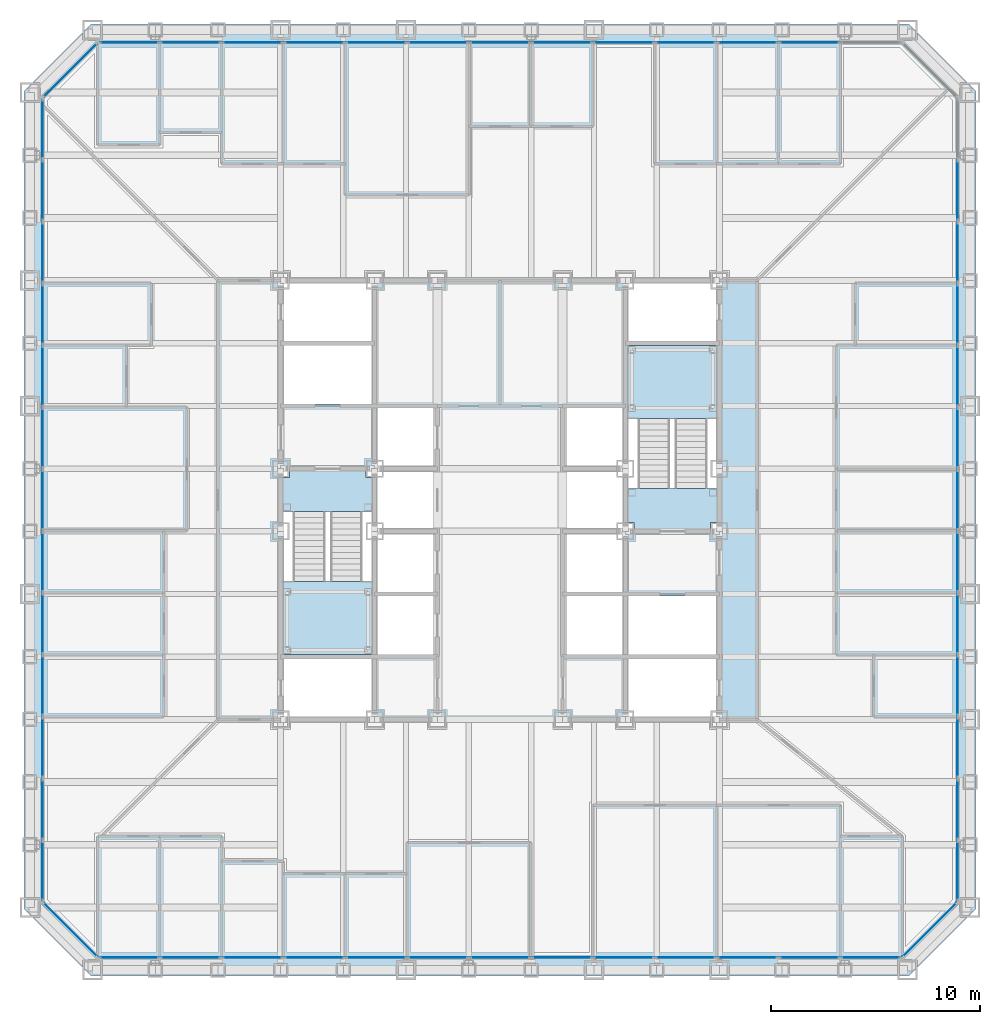
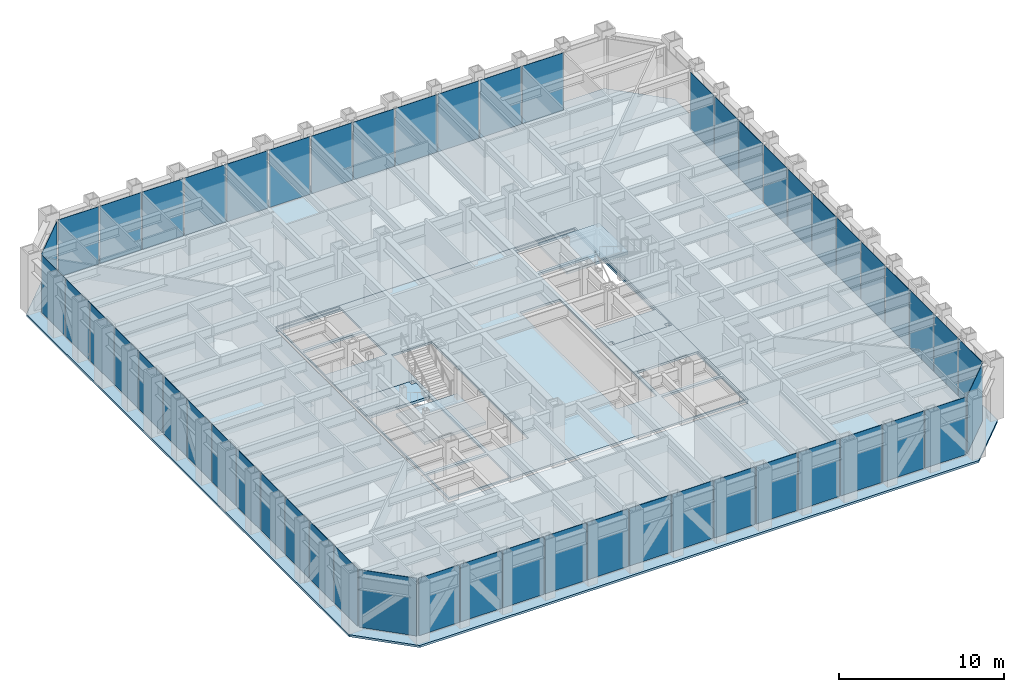
# One storey, part 7 of 17: 53 plates, 6 slabs, 9 elements without a shape of their own.
"""IFC4 building model written with IfcOpenShell, lengths in metres."""

from ifc_helpers import new_model, si_unit, direction, frame, origin, origin_2d, place, context, subcontext, project, spatial, polyline, rectangle, outline, extrude, material, layer, layer_set, type_object, element, aggregate, save


model = new_model("IFC4")

# Units and contexts
model_context = context("Model", 3, precision=1e-05, world=origin(), true_north=direction((0.0, 1.0)))
body_context = subcontext(model_context, "Body", "Model", "MODEL_VIEW")
ifc_project = project(units=[si_unit("LENGTHUNIT", "METRE"), si_unit("AREAUNIT", "SQUARE_METRE"), si_unit("VOLUMEUNIT", "CUBIC_METRE"), si_unit("PLANEANGLEUNIT", "RADIAN"), si_unit("MASSUNIT", "GRAM", prefix="KILO")], contexts=[model_context])

# Site, building, storey
site_placement = place(None, origin())
site = spatial("IfcSite", under=ifc_project, at=site_placement, CompositionType="ELEMENT")
building_placement = place(site_placement, origin())
building = spatial("IfcBuilding", under=site, at=building_placement, Name="Chuquiago Exchange Tower", CompositionType="ELEMENT")
storey_placement = place(building_placement, frame((0.0, 0.0, 37.800048828125)))
storey = spatial("IfcBuildingStorey", under=building, at=storey_placement, Name="L07", CompositionType="ELEMENT", Elevation=37.800048828125)

# Curtain wall, plates
ifc_material_1 = material(Name="Aluminium curtain wall system", Category="aluminium")
ifc_layer_1 = layer(ifc_material_1, 0.25)
ifc_layer_set_1 = layer_set([ifc_layer_1], Name="CW1 trading floor curtain wall")
curtain_wall_type_1 = type_object("IfcCurtainWallType", Name="CW1 trading floor curtain wall", PredefinedType="NOTDEFINED", material=ifc_layer_set_1)
curtain_wall_1_placement = place(storey_placement, origin())
curtain_wall_1 = element("IfcCurtainWall", 1, at=curtain_wall_1_placement, inside=storey, type_object=curtain_wall_type_1, Name="CW1 curtain wall L07", PredefinedType="NOTDEFINED")
ifc_material_2 = material(Name="Glass, insulating unit", Category="glass")
ifc_layer_2 = layer(ifc_material_2, 0.031982421875)
ifc_layer_set_2 = layer_set([ifc_layer_2], Name="CW1-P panel 32")
plate_type_1 = type_object("IfcPlateType", Name="CW1-P panel 32", PredefinedType="CURTAIN_PANEL", material=ifc_layer_set_2)
plate_1_placement = place(storey_placement, frame((10.65283203125, 0.60009765625, -0.22509765625), z_axis=(0.0, 0.0, 1.0), x_axis=(1.0, 0.0, 0.0)))
plate_1 = element("IfcPlate", 2, at=plate_1_placement, type_object=plate_type_1, Name="CW1 panel 3.1", PredefinedType="CURTAIN_PANEL", context=body_context, shape_type="SweptSolid", body=[
    extrude(rectangle(XDim=2.88671875, YDim=0.031982421875, at=origin_2d()), origin(), (0.0, 0.0, 1.0), 4.264892578125),
])
plate_2_placement = place(storey_placement, frame((13.61474609375, 0.60009765625, -0.22509765625), z_axis=(0.0, 0.0, 1.0), x_axis=(1.0, 0.0, 0.0)))
plate_2 = element("IfcPlate", 3, at=plate_2_placement, type_object=plate_type_1, Name="CW1 panel 4.1", PredefinedType="CURTAIN_PANEL", context=body_context, shape_type="SweptSolid", body=[
    extrude(rectangle(XDim=2.88671875, YDim=0.031982421875, at=origin_2d()), origin(), (0.0, 0.0, 1.0), 4.264892578125),
])
plate_3_placement = place(storey_placement, frame((16.576416015625, 0.60009765625, -0.22509765625), z_axis=(0.0, 0.0, 1.0), x_axis=(1.0, 0.0, 0.0)))
plate_3 = element("IfcPlate", 4, at=plate_3_placement, type_object=plate_type_1, Name="CW1 panel 5.1", PredefinedType="CURTAIN_PANEL", context=body_context, shape_type="SweptSolid", body=[
    extrude(rectangle(XDim=2.88671875, YDim=0.031982421875, at=origin_2d()), origin(), (0.0, 0.0, 1.0), 4.264892578125),
])
plate_4_placement = place(storey_placement, frame((25.461669921875, 0.60009765625, -0.22509765625), z_axis=(0.0, 0.0, 1.0), x_axis=(1.0, 0.0, 0.0)))
plate_4 = element("IfcPlate", 5, at=plate_4_placement, type_object=plate_type_1, Name="CW1 panel 8.1", PredefinedType="CURTAIN_PANEL", context=body_context, shape_type="SweptSolid", body=[
    extrude(rectangle(XDim=2.88671875, YDim=0.031982421875, at=origin_2d()), origin(), (0.0, 0.0, 1.0), 4.264892578125),
])
plate_5_placement = place(storey_placement, frame((28.423583984375, 0.60009765625, -0.22509765625), z_axis=(0.0, 0.0, 1.0), x_axis=(1.0, 0.0, 0.0)))
plate_5 = element("IfcPlate", 6, at=plate_5_placement, type_object=plate_type_1, Name="CW1 panel 9.1", PredefinedType="CURTAIN_PANEL", context=body_context, shape_type="SweptSolid", body=[
    extrude(rectangle(XDim=2.88671875, YDim=0.031982421875, at=origin_2d()), origin(), (0.0, 0.0, 1.0), 4.264892578125),
])
plate_6_placement = place(storey_placement, frame((31.38525390625, 0.60009765625, -0.22509765625), z_axis=(0.0, 0.0, 1.0), x_axis=(1.0, 0.0, 0.0)))
plate_6 = element("IfcPlate", 7, at=plate_6_placement, type_object=plate_type_1, Name="CW1 panel 10.1", PredefinedType="CURTAIN_PANEL", context=body_context, shape_type="SweptSolid", body=[
    extrude(rectangle(XDim=2.88671875, YDim=0.031982421875, at=origin_2d()), origin(), (0.0, 0.0, 1.0), 4.264892578125),
])
plate_7_placement = place(storey_placement, frame((34.34716796875, 0.60009765625, -0.22509765625), z_axis=(0.0, 0.0, 1.0), x_axis=(1.0, 0.0, 0.0)))
plate_7 = element("IfcPlate", 8, at=plate_7_placement, type_object=plate_type_1, Name="CW1 panel 11.1", PredefinedType="CURTAIN_PANEL", context=body_context, shape_type="SweptSolid", body=[
    extrude(rectangle(XDim=2.88671875, YDim=0.031982421875, at=origin_2d()), origin(), (0.0, 0.0, 1.0), 4.264892578125),
])

curtain_wall_2_placement = place(storey_placement, origin())
curtain_wall_2 = element("IfcCurtainWall", 9, at=curtain_wall_2_placement, inside=storey, type_object=curtain_wall_type_1, Name="CW1 curtain wall L07", PredefinedType="NOTDEFINED")
plate_8_placement = place(storey_placement, frame((44.39990234375, 10.65283203125, -0.22509765625), z_axis=(0.0, 0.0, 1.0), x_axis=(0.0, 1.0, 0.0)))
plate_8 = element("IfcPlate", 10, at=plate_8_placement, type_object=plate_type_1, Name="CW1 panel 3.1", PredefinedType="CURTAIN_PANEL", context=body_context, shape_type="SweptSolid", body=[
    extrude(rectangle(XDim=2.88671875, YDim=0.031982421875, at=origin_2d()), origin(), (0.0, 0.0, 1.0), 4.264892578125),
])
plate_9_placement = place(storey_placement, frame((44.39990234375, 13.61474609375, -0.22509765625), z_axis=(0.0, 0.0, 1.0), x_axis=(0.0, 1.0, 0.0)))
plate_9 = element("IfcPlate", 11, at=plate_9_placement, type_object=plate_type_1, Name="CW1 panel 4.1", PredefinedType="CURTAIN_PANEL", context=body_context, shape_type="SweptSolid", body=[
    extrude(rectangle(XDim=2.88671875, YDim=0.031982421875, at=origin_2d()), origin(), (0.0, 0.0, 1.0), 4.264892578125),
])
plate_10_placement = place(storey_placement, frame((44.39990234375, 16.576416015625, -0.22509765625), z_axis=(0.0, 0.0, 1.0), x_axis=(0.0, 1.0, 0.0)))
plate_10 = element("IfcPlate", 12, at=plate_10_placement, type_object=plate_type_1, Name="CW1 panel 5.1", PredefinedType="CURTAIN_PANEL", context=body_context, shape_type="SweptSolid", body=[
    extrude(rectangle(XDim=2.88671875, YDim=0.031982421875, at=origin_2d()), origin(), (0.0, 0.0, 1.0), 4.264892578125),
])
plate_11_placement = place(storey_placement, frame((44.39990234375, 25.461669921875, -0.22509765625), z_axis=(0.0, 0.0, 1.0), x_axis=(0.0, 1.0, 0.0)))
plate_11 = element("IfcPlate", 13, at=plate_11_placement, type_object=plate_type_1, Name="CW1 panel 8.1", PredefinedType="CURTAIN_PANEL", context=body_context, shape_type="SweptSolid", body=[
    extrude(rectangle(XDim=2.88671875, YDim=0.031982421875, at=origin_2d()), origin(), (0.0, 0.0, 1.0), 4.264892578125),
])
plate_12_placement = place(storey_placement, frame((44.39990234375, 28.423583984375, -0.22509765625), z_axis=(0.0, 0.0, 1.0), x_axis=(0.0, 1.0, 0.0)))
plate_12 = element("IfcPlate", 14, at=plate_12_placement, type_object=plate_type_1, Name="CW1 panel 9.1", PredefinedType="CURTAIN_PANEL", context=body_context, shape_type="SweptSolid", body=[
    extrude(rectangle(XDim=2.88671875, YDim=0.031982421875, at=origin_2d()), origin(), (0.0, 0.0, 1.0), 4.264892578125),
])
plate_13_placement = place(storey_placement, frame((44.39990234375, 31.38525390625, -0.22509765625), z_axis=(0.0, 0.0, 1.0), x_axis=(0.0, 1.0, 0.0)))
plate_13 = element("IfcPlate", 15, at=plate_13_placement, type_object=plate_type_1, Name="CW1 panel 10.1", PredefinedType="CURTAIN_PANEL", context=body_context, shape_type="SweptSolid", body=[
    extrude(rectangle(XDim=2.88671875, YDim=0.031982421875, at=origin_2d()), origin(), (0.0, 0.0, 1.0), 4.264892578125),
])
plate_14_placement = place(storey_placement, frame((44.39990234375, 34.34716796875, -0.22509765625), z_axis=(0.0, 0.0, 1.0), x_axis=(0.0, 1.0, 0.0)))
plate_14 = element("IfcPlate", 16, at=plate_14_placement, type_object=plate_type_1, Name="CW1 panel 11.1", PredefinedType="CURTAIN_PANEL", context=body_context, shape_type="SweptSolid", body=[
    extrude(rectangle(XDim=2.88671875, YDim=0.031982421875, at=origin_2d()), origin(), (0.0, 0.0, 1.0), 4.264892578125),
])

curtain_wall_3_placement = place(storey_placement, origin())
curtain_wall_3 = element("IfcCurtainWall", 17, at=curtain_wall_3_placement, inside=storey, type_object=curtain_wall_type_1, Name="CW1 curtain wall L07", PredefinedType="NOTDEFINED")
plate_15_placement = place(storey_placement, frame((34.34716796875, 44.39990234375, -0.22509765625), z_axis=(0.0, 0.0, 1.0), x_axis=(-1.0, 0.0, 0.0)))
plate_15 = element("IfcPlate", 18, at=plate_15_placement, type_object=plate_type_1, Name="CW1 panel 3.1", PredefinedType="CURTAIN_PANEL", context=body_context, shape_type="SweptSolid", body=[
    extrude(rectangle(XDim=2.88671875, YDim=0.031982421875, at=origin_2d()), origin(), (0.0, 0.0, 1.0), 4.264892578125),
])
plate_16_placement = place(storey_placement, frame((31.38525390625, 44.39990234375, -0.22509765625), z_axis=(0.0, 0.0, 1.0), x_axis=(-1.0, 0.0, 0.0)))
plate_16 = element("IfcPlate", 19, at=plate_16_placement, type_object=plate_type_1, Name="CW1 panel 4.1", PredefinedType="CURTAIN_PANEL", context=body_context, shape_type="SweptSolid", body=[
    extrude(rectangle(XDim=2.88671875, YDim=0.031982421875, at=origin_2d()), origin(), (0.0, 0.0, 1.0), 4.264892578125),
])
plate_17_placement = place(storey_placement, frame((28.423583984375, 44.39990234375, -0.22509765625), z_axis=(0.0, 0.0, 1.0), x_axis=(-1.0, 0.0, 0.0)))
plate_17 = element("IfcPlate", 20, at=plate_17_placement, type_object=plate_type_1, Name="CW1 panel 5.1", PredefinedType="CURTAIN_PANEL", context=body_context, shape_type="SweptSolid", body=[
    extrude(rectangle(XDim=2.88671875, YDim=0.031982421875, at=origin_2d()), origin(), (0.0, 0.0, 1.0), 4.264892578125),
])
plate_18_placement = place(storey_placement, frame((19.538330078125, 44.39990234375, -0.22509765625), z_axis=(0.0, 0.0, 1.0), x_axis=(-1.0, 0.0, 0.0)))
plate_18 = element("IfcPlate", 21, at=plate_18_placement, type_object=plate_type_1, Name="CW1 panel 8.1", PredefinedType="CURTAIN_PANEL", context=body_context, shape_type="SweptSolid", body=[
    extrude(rectangle(XDim=2.88671875, YDim=0.031982421875, at=origin_2d()), origin(), (0.0, 0.0, 1.0), 4.264892578125),
])
plate_19_placement = place(storey_placement, frame((16.576416015625, 44.39990234375, -0.22509765625), z_axis=(0.0, 0.0, 1.0), x_axis=(-1.0, 0.0, 0.0)))
plate_19 = element("IfcPlate", 22, at=plate_19_placement, type_object=plate_type_1, Name="CW1 panel 9.1", PredefinedType="CURTAIN_PANEL", context=body_context, shape_type="SweptSolid", body=[
    extrude(rectangle(XDim=2.88671875, YDim=0.031982421875, at=origin_2d()), origin(), (0.0, 0.0, 1.0), 4.264892578125),
])
plate_20_placement = place(storey_placement, frame((13.61474609375, 44.39990234375, -0.22509765625), z_axis=(0.0, 0.0, 1.0), x_axis=(-1.0, 0.0, 0.0)))
plate_20 = element("IfcPlate", 23, at=plate_20_placement, type_object=plate_type_1, Name="CW1 panel 10.1", PredefinedType="CURTAIN_PANEL", context=body_context, shape_type="SweptSolid", body=[
    extrude(rectangle(XDim=2.88671875, YDim=0.031982421875, at=origin_2d()), origin(), (0.0, 0.0, 1.0), 4.264892578125),
])
plate_21_placement = place(storey_placement, frame((10.65283203125, 44.39990234375, -0.22509765625), z_axis=(0.0, 0.0, 1.0), x_axis=(-1.0, 0.0, 0.0)))
plate_21 = element("IfcPlate", 24, at=plate_21_placement, type_object=plate_type_1, Name="CW1 panel 11.1", PredefinedType="CURTAIN_PANEL", context=body_context, shape_type="SweptSolid", body=[
    extrude(rectangle(XDim=2.88671875, YDim=0.031982421875, at=origin_2d()), origin(), (0.0, 0.0, 1.0), 4.264892578125),
])

curtain_wall_4_placement = place(storey_placement, origin())
curtain_wall_4 = element("IfcCurtainWall", 25, at=curtain_wall_4_placement, inside=storey, type_object=curtain_wall_type_1, Name="CW1 curtain wall L07", PredefinedType="NOTDEFINED")
plate_22_placement = place(storey_placement, frame((0.60009765625, 34.34716796875, -0.22509765625), z_axis=(0.0, 0.0, 1.0), x_axis=(0.0, -1.0, 0.0)))
plate_22 = element("IfcPlate", 26, at=plate_22_placement, type_object=plate_type_1, Name="CW1 panel 3.1", PredefinedType="CURTAIN_PANEL", context=body_context, shape_type="SweptSolid", body=[
    extrude(rectangle(XDim=2.88671875, YDim=0.031982421875, at=origin_2d()), origin(), (0.0, 0.0, 1.0), 4.264892578125),
])
plate_23_placement = place(storey_placement, frame((0.60009765625, 31.38525390625, -0.22509765625), z_axis=(0.0, 0.0, 1.0), x_axis=(0.0, -1.0, 0.0)))
plate_23 = element("IfcPlate", 27, at=plate_23_placement, type_object=plate_type_1, Name="CW1 panel 4.1", PredefinedType="CURTAIN_PANEL", context=body_context, shape_type="SweptSolid", body=[
    extrude(rectangle(XDim=2.88671875, YDim=0.031982421875, at=origin_2d()), origin(), (0.0, 0.0, 1.0), 4.264892578125),
])
plate_24_placement = place(storey_placement, frame((0.60009765625, 28.423583984375, -0.22509765625), z_axis=(0.0, 0.0, 1.0), x_axis=(0.0, -1.0, 0.0)))
plate_24 = element("IfcPlate", 28, at=plate_24_placement, type_object=plate_type_1, Name="CW1 panel 5.1", PredefinedType="CURTAIN_PANEL", context=body_context, shape_type="SweptSolid", body=[
    extrude(rectangle(XDim=2.88671875, YDim=0.031982421875, at=origin_2d()), origin(), (0.0, 0.0, 1.0), 4.264892578125),
])
plate_25_placement = place(storey_placement, frame((0.60009765625, 19.538330078125, -0.22509765625), z_axis=(0.0, 0.0, 1.0), x_axis=(0.0, -1.0, 0.0)))
plate_25 = element("IfcPlate", 29, at=plate_25_placement, type_object=plate_type_1, Name="CW1 panel 8.1", PredefinedType="CURTAIN_PANEL", context=body_context, shape_type="SweptSolid", body=[
    extrude(rectangle(XDim=2.88671875, YDim=0.031982421875, at=origin_2d()), origin(), (0.0, 0.0, 1.0), 4.264892578125),
])
plate_26_placement = place(storey_placement, frame((0.60009765625, 16.576416015625, -0.22509765625), z_axis=(0.0, 0.0, 1.0), x_axis=(0.0, -1.0, 0.0)))
plate_26 = element("IfcPlate", 30, at=plate_26_placement, type_object=plate_type_1, Name="CW1 panel 9.1", PredefinedType="CURTAIN_PANEL", context=body_context, shape_type="SweptSolid", body=[
    extrude(rectangle(XDim=2.88671875, YDim=0.031982421875, at=origin_2d()), origin(), (0.0, 0.0, 1.0), 4.264892578125),
])
plate_27_placement = place(storey_placement, frame((0.60009765625, 13.61474609375, -0.22509765625), z_axis=(0.0, 0.0, 1.0), x_axis=(0.0, -1.0, 0.0)))
plate_27 = element("IfcPlate", 31, at=plate_27_placement, type_object=plate_type_1, Name="CW1 panel 10.1", PredefinedType="CURTAIN_PANEL", context=body_context, shape_type="SweptSolid", body=[
    extrude(rectangle(XDim=2.88671875, YDim=0.031982421875, at=origin_2d()), origin(), (0.0, 0.0, 1.0), 4.264892578125),
])
plate_28_placement = place(storey_placement, frame((0.60009765625, 10.65283203125, -0.22509765625), z_axis=(0.0, 0.0, 1.0), x_axis=(0.0, -1.0, 0.0)))
plate_28 = element("IfcPlate", 32, at=plate_28_placement, type_object=plate_type_1, Name="CW1 panel 11.1", PredefinedType="CURTAIN_PANEL", context=body_context, shape_type="SweptSolid", body=[
    extrude(rectangle(XDim=2.88671875, YDim=0.031982421875, at=origin_2d()), origin(), (0.0, 0.0, 1.0), 4.264892578125),
])

# Plate
ifc_material_3 = material(Name="Insulated spandrel panel, pale anodised aluminium", Category="aluminium")
ifc_layer_3 = layer(ifc_material_3, 0.031982421875)
ifc_layer_set_3 = layer_set([ifc_layer_3], Name="CW1-P spandrel panel 32")
plate_type_2 = type_object("IfcPlateType", Name="CW1-P spandrel panel 32", PredefinedType="CURTAIN_PANEL", material=ifc_layer_set_3)
plate_29_placement = place(storey_placement, frame((4.748046875, 0.60009765625, -0.22509765625), z_axis=(0.0, 0.0, 1.0), x_axis=(1.0, 0.0, 0.0)))
plate_29 = element("IfcPlate", 33, at=plate_29_placement, type_object=plate_type_2, Name="CW1 panel 1.1", PredefinedType="CURTAIN_PANEL", context=body_context, shape_type="SweptSolid", body=[
    extrude(rectangle(XDim=2.849365234375, YDim=0.031982421875, at=origin_2d()), origin(), (0.0, 0.0, 1.0), 4.264892578125),
])

plate_30_placement = place(storey_placement, frame((7.691162109375, 0.60009765625, -0.22509765625), z_axis=(0.0, 0.0, 1.0), x_axis=(1.0, 0.0, 0.0)))
plate_30 = element("IfcPlate", 34, at=plate_30_placement, type_object=plate_type_2, Name="CW1 panel 2.1", PredefinedType="CURTAIN_PANEL", context=body_context, shape_type="SweptSolid", body=[
    extrude(rectangle(XDim=2.88671875, YDim=0.031982421875, at=origin_2d()), origin(), (0.0, 0.0, 1.0), 4.264892578125),
])

plate_31_placement = place(storey_placement, frame((19.538330078125, 0.60009765625, -0.22509765625), z_axis=(0.0, 0.0, 1.0), x_axis=(1.0, 0.0, 0.0)))
plate_31 = element("IfcPlate", 35, at=plate_31_placement, type_object=plate_type_2, Name="CW1 panel 6.1", PredefinedType="CURTAIN_PANEL", context=body_context, shape_type="SweptSolid", body=[
    extrude(rectangle(XDim=2.88671875, YDim=0.031982421875, at=origin_2d()), origin(), (0.0, 0.0, 1.0), 4.264892578125),
])

plate_32_placement = place(storey_placement, frame((22.5, 0.60009765625, -0.22509765625), z_axis=(0.0, 0.0, 1.0), x_axis=(1.0, 0.0, 0.0)))
plate_32 = element("IfcPlate", 36, at=plate_32_placement, type_object=plate_type_2, Name="CW1 panel 7.1", PredefinedType="CURTAIN_PANEL", context=body_context, shape_type="SweptSolid", body=[
    extrude(rectangle(XDim=2.88671875, YDim=0.031982421875, at=origin_2d()), origin(), (0.0, 0.0, 1.0), 4.264892578125),
])

plate_33_placement = place(storey_placement, frame((37.308837890625, 0.60009765625, -0.22509765625), z_axis=(0.0, 0.0, 1.0), x_axis=(1.0, 0.0, 0.0)))
plate_33 = element("IfcPlate", 37, at=plate_33_placement, type_object=plate_type_2, Name="CW1 panel 12.1", PredefinedType="CURTAIN_PANEL", context=body_context, shape_type="SweptSolid", body=[
    extrude(rectangle(XDim=2.88671875, YDim=0.031982421875, at=origin_2d()), origin(), (0.0, 0.0, 1.0), 4.264892578125),
])

plate_34_placement = place(storey_placement, frame((40.251953125, 0.60009765625, -0.22509765625), z_axis=(0.0, 0.0, 1.0), x_axis=(1.0, 0.0, 0.0)))
plate_34 = element("IfcPlate", 38, at=plate_34_placement, type_object=plate_type_2, Name="CW1 panel 13.1", PredefinedType="CURTAIN_PANEL", context=body_context, shape_type="SweptSolid", body=[
    extrude(rectangle(XDim=2.849365234375, YDim=0.031982421875, at=origin_2d()), origin(), (0.0, 0.0, 1.0), 4.264892578125),
])

aggregate(curtain_wall_1, [plate_29, plate_30, plate_1, plate_2, plate_3, plate_31, plate_32, plate_4, plate_5, plate_6, plate_7, plate_33, plate_34])

plate_35_placement = place(storey_placement, frame((44.39990234375, 4.748046875, -0.22509765625), z_axis=(0.0, 0.0, 1.0), x_axis=(0.0, 1.0, 0.0)))
plate_35 = element("IfcPlate", 39, at=plate_35_placement, type_object=plate_type_2, Name="CW1 panel 1.1", PredefinedType="CURTAIN_PANEL", context=body_context, shape_type="SweptSolid", body=[
    extrude(rectangle(XDim=2.849365234375, YDim=0.031982421875, at=origin_2d()), origin(), (0.0, 0.0, 1.0), 4.264892578125),
])

plate_36_placement = place(storey_placement, frame((44.39990234375, 7.691162109375, -0.22509765625), z_axis=(0.0, 0.0, 1.0), x_axis=(0.0, 1.0, 0.0)))
plate_36 = element("IfcPlate", 40, at=plate_36_placement, type_object=plate_type_2, Name="CW1 panel 2.1", PredefinedType="CURTAIN_PANEL", context=body_context, shape_type="SweptSolid", body=[
    extrude(rectangle(XDim=2.88671875, YDim=0.031982421875, at=origin_2d()), origin(), (0.0, 0.0, 1.0), 4.264892578125),
])

plate_37_placement = place(storey_placement, frame((44.39990234375, 19.538330078125, -0.22509765625), z_axis=(0.0, 0.0, 1.0), x_axis=(0.0, 1.0, 0.0)))
plate_37 = element("IfcPlate", 41, at=plate_37_placement, type_object=plate_type_2, Name="CW1 panel 6.1", PredefinedType="CURTAIN_PANEL", context=body_context, shape_type="SweptSolid", body=[
    extrude(rectangle(XDim=2.88671875, YDim=0.031982421875, at=origin_2d()), origin(), (0.0, 0.0, 1.0), 4.264892578125),
])

plate_38_placement = place(storey_placement, frame((44.39990234375, 22.5, -0.22509765625), z_axis=(0.0, 0.0, 1.0), x_axis=(0.0, 1.0, 0.0)))
plate_38 = element("IfcPlate", 42, at=plate_38_placement, type_object=plate_type_2, Name="CW1 panel 7.1", PredefinedType="CURTAIN_PANEL", context=body_context, shape_type="SweptSolid", body=[
    extrude(rectangle(XDim=2.88671875, YDim=0.031982421875, at=origin_2d()), origin(), (0.0, 0.0, 1.0), 4.264892578125),
])

plate_39_placement = place(storey_placement, frame((44.39990234375, 37.308837890625, -0.22509765625), z_axis=(0.0, 0.0, 1.0), x_axis=(0.0, 1.0, 0.0)))
plate_39 = element("IfcPlate", 43, at=plate_39_placement, type_object=plate_type_2, Name="CW1 panel 12.1", PredefinedType="CURTAIN_PANEL", context=body_context, shape_type="SweptSolid", body=[
    extrude(rectangle(XDim=2.88671875, YDim=0.031982421875, at=origin_2d()), origin(), (0.0, 0.0, 1.0), 4.264892578125),
])

aggregate(curtain_wall_2, [plate_35, plate_36, plate_8, plate_9, plate_10, plate_37, plate_38, plate_11, plate_12, plate_13, plate_14, plate_39])

plate_40_placement = place(storey_placement, frame((37.308837890625, 44.39990234375, -0.22509765625), z_axis=(0.0, 0.0, 1.0), x_axis=(-1.0, 0.0, 0.0)))
plate_40 = element("IfcPlate", 44, at=plate_40_placement, type_object=plate_type_2, Name="CW1 panel 2.1", PredefinedType="CURTAIN_PANEL", context=body_context, shape_type="SweptSolid", body=[
    extrude(rectangle(XDim=2.88671875, YDim=0.031982421875, at=origin_2d()), origin(), (0.0, 0.0, 1.0), 4.264892578125),
])

plate_41_placement = place(storey_placement, frame((25.461669921875, 44.39990234375, -0.22509765625), z_axis=(0.0, 0.0, 1.0), x_axis=(-1.0, 0.0, 0.0)))
plate_41 = element("IfcPlate", 45, at=plate_41_placement, type_object=plate_type_2, Name="CW1 panel 6.1", PredefinedType="CURTAIN_PANEL", context=body_context, shape_type="SweptSolid", body=[
    extrude(rectangle(XDim=2.88671875, YDim=0.031982421875, at=origin_2d()), origin(), (0.0, 0.0, 1.0), 4.264892578125),
])

plate_42_placement = place(storey_placement, frame((22.5, 44.39990234375, -0.22509765625), z_axis=(0.0, 0.0, 1.0), x_axis=(-1.0, 0.0, 0.0)))
plate_42 = element("IfcPlate", 46, at=plate_42_placement, type_object=plate_type_2, Name="CW1 panel 7.1", PredefinedType="CURTAIN_PANEL", context=body_context, shape_type="SweptSolid", body=[
    extrude(rectangle(XDim=2.88671875, YDim=0.031982421875, at=origin_2d()), origin(), (0.0, 0.0, 1.0), 4.264892578125),
])

plate_43_placement = place(storey_placement, frame((7.691162109375, 44.39990234375, -0.22509765625), z_axis=(0.0, 0.0, 1.0), x_axis=(-1.0, 0.0, 0.0)))
plate_43 = element("IfcPlate", 47, at=plate_43_placement, type_object=plate_type_2, Name="CW1 panel 12.1", PredefinedType="CURTAIN_PANEL", context=body_context, shape_type="SweptSolid", body=[
    extrude(rectangle(XDim=2.88671875, YDim=0.031982421875, at=origin_2d()), origin(), (0.0, 0.0, 1.0), 4.264892578125),
])

plate_44_placement = place(storey_placement, frame((4.748046875, 44.39990234375, -0.22509765625), z_axis=(0.0, 0.0, 1.0), x_axis=(-1.0, 0.0, 0.0)))
plate_44 = element("IfcPlate", 48, at=plate_44_placement, type_object=plate_type_2, Name="CW1 panel 13.1", PredefinedType="CURTAIN_PANEL", context=body_context, shape_type="SweptSolid", body=[
    extrude(rectangle(XDim=2.849365234375, YDim=0.031982421875, at=origin_2d()), origin(), (0.0, 0.0, 1.0), 4.264892578125),
])

aggregate(curtain_wall_3, [plate_40, plate_15, plate_16, plate_17, plate_41, plate_42, plate_18, plate_19, plate_20, plate_21, plate_43, plate_44])

plate_45_placement = place(storey_placement, frame((0.60009765625, 40.251953125, -0.22509765625), z_axis=(0.0, 0.0, 1.0), x_axis=(0.0, -1.0, 0.0)))
plate_45 = element("IfcPlate", 49, at=plate_45_placement, type_object=plate_type_2, Name="CW1 panel 1.1", PredefinedType="CURTAIN_PANEL", context=body_context, shape_type="SweptSolid", body=[
    extrude(rectangle(XDim=2.849365234375, YDim=0.031982421875, at=origin_2d()), origin(), (0.0, 0.0, 1.0), 4.264892578125),
])

plate_46_placement = place(storey_placement, frame((0.60009765625, 37.308837890625, -0.22509765625), z_axis=(0.0, 0.0, 1.0), x_axis=(0.0, -1.0, 0.0)))
plate_46 = element("IfcPlate", 50, at=plate_46_placement, type_object=plate_type_2, Name="CW1 panel 2.1", PredefinedType="CURTAIN_PANEL", context=body_context, shape_type="SweptSolid", body=[
    extrude(rectangle(XDim=2.88671875, YDim=0.031982421875, at=origin_2d()), origin(), (0.0, 0.0, 1.0), 4.264892578125),
])

plate_47_placement = place(storey_placement, frame((0.60009765625, 25.461669921875, -0.22509765625), z_axis=(0.0, 0.0, 1.0), x_axis=(0.0, -1.0, 0.0)))
plate_47 = element("IfcPlate", 51, at=plate_47_placement, type_object=plate_type_2, Name="CW1 panel 6.1", PredefinedType="CURTAIN_PANEL", context=body_context, shape_type="SweptSolid", body=[
    extrude(rectangle(XDim=2.88671875, YDim=0.031982421875, at=origin_2d()), origin(), (0.0, 0.0, 1.0), 4.264892578125),
])

plate_48_placement = place(storey_placement, frame((0.60009765625, 22.5, -0.22509765625), z_axis=(0.0, 0.0, 1.0), x_axis=(0.0, -1.0, 0.0)))
plate_48 = element("IfcPlate", 52, at=plate_48_placement, type_object=plate_type_2, Name="CW1 panel 7.1", PredefinedType="CURTAIN_PANEL", context=body_context, shape_type="SweptSolid", body=[
    extrude(rectangle(XDim=2.88671875, YDim=0.031982421875, at=origin_2d()), origin(), (0.0, 0.0, 1.0), 4.264892578125),
])

plate_49_placement = place(storey_placement, frame((0.60009765625, 7.691162109375, -0.22509765625), z_axis=(0.0, 0.0, 1.0), x_axis=(0.0, -1.0, 0.0)))
plate_49 = element("IfcPlate", 53, at=plate_49_placement, type_object=plate_type_2, Name="CW1 panel 12.1", PredefinedType="CURTAIN_PANEL", context=body_context, shape_type="SweptSolid", body=[
    extrude(rectangle(XDim=2.88671875, YDim=0.031982421875, at=origin_2d()), origin(), (0.0, 0.0, 1.0), 4.264892578125),
])

plate_50_placement = place(storey_placement, frame((0.60009765625, 4.748046875, -0.22509765625), z_axis=(0.0, 0.0, 1.0), x_axis=(0.0, -1.0, 0.0)))
plate_50 = element("IfcPlate", 54, at=plate_50_placement, type_object=plate_type_2, Name="CW1 panel 13.1", PredefinedType="CURTAIN_PANEL", context=body_context, shape_type="SweptSolid", body=[
    extrude(rectangle(XDim=2.849365234375, YDim=0.031982421875, at=origin_2d()), origin(), (0.0, 0.0, 1.0), 4.264892578125),
])

aggregate(curtain_wall_4, [plate_45, plate_46, plate_22, plate_23, plate_24, plate_47, plate_48, plate_25, plate_26, plate_27, plate_28, plate_49, plate_50])

# Curtain wall, plate
ifc_material_4 = material(Name="Aluminium curtain wall system", Category="aluminium")
ifc_layer_4 = layer(ifc_material_4, 0.199951171875)
ifc_layer_set_4 = layer_set([ifc_layer_4], Name="CW3 facet curtain wall")
curtain_wall_type_2 = type_object("IfcCurtainWallType", Name="CW3 facet curtain wall", PredefinedType="NOTDEFINED", material=ifc_layer_set_4)
curtain_wall_5_placement = place(storey_placement, origin())
curtain_wall_5 = element("IfcCurtainWall", 55, at=curtain_wall_5_placement, inside=storey, type_object=curtain_wall_type_2, Name="CW3 curtain wall L07", PredefinedType="NOTDEFINED")
ifc_material_5 = material(Name="Insulated spandrel panel, pale anodised aluminium", Category="aluminium")
ifc_layer_5 = layer(ifc_material_5, 0.030029296875)
ifc_layer_set_5 = layer_set([ifc_layer_5], Name="CW3-P spandrel panel 30")
plate_type_3 = type_object("IfcPlateType", Name="CW3-P spandrel panel 30", PredefinedType="CURTAIN_PANEL", material=ifc_layer_set_5)
plate_51_placement = place(storey_placement, frame((43.07568359375, 1.92431640625, -0.235107421875), z_axis=(0.0, 0.0, 1.0), x_axis=(0.707106781187, 0.707106781187, 0.0)))
plate_51 = element("IfcPlate", 56, at=plate_51_placement, type_object=plate_type_3, Name="CW3 panel 1.1", PredefinedType="CURTAIN_PANEL", context=body_context, shape_type="SweptSolid", body=[
    extrude(rectangle(XDim=3.615478515625, YDim=0.030029296875, at=origin_2d()), origin(), (0.0, 0.0, 1.0), 4.27490234375),
])
aggregate(curtain_wall_5, [plate_51])

curtain_wall_6_placement = place(storey_placement, origin())
curtain_wall_6 = element("IfcCurtainWall", 57, at=curtain_wall_6_placement, inside=storey, type_object=curtain_wall_type_2, Name="CW3 curtain wall L07", PredefinedType="NOTDEFINED")
plate_52_placement = place(storey_placement, frame((1.92431640625, 43.07568359375, -0.235107421875), z_axis=(0.0, 0.0, 1.0), x_axis=(-0.707106781187, -0.707106781187, 0.0)))
plate_52 = element("IfcPlate", 58, at=plate_52_placement, type_object=plate_type_3, Name="CW3 panel 1.1", PredefinedType="CURTAIN_PANEL", context=body_context, shape_type="SweptSolid", body=[
    extrude(rectangle(XDim=3.615478515625, YDim=0.030029296875, at=origin_2d()), origin(), (0.0, 0.0, 1.0), 4.27490234375),
])
aggregate(curtain_wall_6, [plate_52])

curtain_wall_7_placement = place(storey_placement, origin())
curtain_wall_7 = element("IfcCurtainWall", 59, at=curtain_wall_7_placement, inside=storey, type_object=curtain_wall_type_2, Name="CW3 curtain wall L07", PredefinedType="NOTDEFINED")
plate_53_placement = place(storey_placement, frame((1.92431640625, 1.92431640625, -0.235107421875), z_axis=(0.0, 0.0, 1.0), x_axis=(0.707106781187, -0.707106781187, 0.0)))
plate_53 = element("IfcPlate", 60, at=plate_53_placement, type_object=plate_type_3, Name="CW3 panel 1.1", PredefinedType="CURTAIN_PANEL", context=body_context, shape_type="SweptSolid", body=[
    extrude(rectangle(XDim=3.615478515625, YDim=0.030029296875, at=origin_2d()), origin(), (0.0, 0.0, 1.0), 4.27490234375),
])
aggregate(curtain_wall_7, [plate_53])

# Slabs
ifc_material_6 = material(Name="Concrete C30/37", Category="concrete")
ifc_layer_6 = layer(ifc_material_6, 0.159912109375)
ifc_layer_set_6 = layer_set([ifc_layer_6], Name="FS1 composite floor 160")
slab_type_1 = type_object("IfcSlabType", Name="FS1 composite floor 160", PredefinedType="FLOOR", material=ifc_layer_set_6)
slab_1_placement = place(storey_placement, frame((0.0, 0.0, -0.4599609375)))
element("IfcSlab", 61, at=slab_1_placement, inside=storey, type_object=slab_type_1, Name="L07 floor slab, lowered under the raised floor", PredefinedType="FLOOR", context=body_context, shape_type="SweptSolid", body=[
    extrude(outline(polyline([(-0.25, 2.896484375), (-0.25, 42.103515625), (2.896484375, 45.25), (42.103515625, 45.25), (45.25, 42.103515625), (45.25, 2.896484375), (42.103515625, -0.25), (2.896484375, -0.25), (-0.25, 2.896484375)]), holes=[polyline([(33.0, 33.0), (12.0, 33.0), (12.0, 12.0), (33.0, 12.0), (33.0, 33.0)])]), origin(), (0.0, 0.0, 1.0), 0.159912109375),
])
slab_2_placement = place(storey_placement, frame((0.0, 0.0, -0.16015625)))
element("IfcSlab", 62, at=slab_2_placement, inside=storey, type_object=slab_type_1, Name="L07 core floor slab", PredefinedType="FLOOR", context=body_context, shape_type="SweptSolid", body=[
    extrude(outline(polyline([(33.0, 12.0), (33.0, 33.0), (12.0, 33.0), (12.0, 12.0), (33.0, 12.0)]), holes=[polyline([(16.39990234375, 15.10009765625), (12.10009765625, 15.10009765625), (12.10009765625, 23.89990234375), (16.39990234375, 23.89990234375), (16.39990234375, 15.10009765625)]), polyline([(32.89990234375, 21.10009765625), (28.60009765625, 21.10009765625), (28.60009765625, 29.89990234375), (32.89990234375, 29.89990234375), (32.89990234375, 21.10009765625)]), polyline([(16.39990234375, 12.10009765625), (12.10009765625, 12.10009765625), (12.10009765625, 14.89990234375), (16.39990234375, 14.89990234375), (16.39990234375, 12.10009765625)]), polyline([(16.39990234375, 30.10009765625), (12.10009765625, 30.10009765625), (12.10009765625, 32.89990234375), (16.39990234375, 32.89990234375), (16.39990234375, 30.10009765625)]), polyline([(32.89990234375, 12.10009765625), (28.60009765625, 12.10009765625), (28.60009765625, 14.89990234375), (32.89990234375, 14.89990234375), (32.89990234375, 12.10009765625)]), polyline([(32.89990234375, 30.10009765625), (28.60009765625, 30.10009765625), (28.60009765625, 32.89990234375), (32.89990234375, 32.89990234375), (32.89990234375, 30.10009765625)]), polyline([(16.39990234375, 27.10009765625), (12.10009765625, 27.10009765625), (12.10009765625, 29.89990234375), (16.39990234375, 29.89990234375), (16.39990234375, 27.10009765625)]), polyline([(32.89990234375, 15.10009765625), (28.60009765625, 15.10009765625), (28.60009765625, 17.89990234375), (32.89990234375, 17.89990234375), (32.89990234375, 15.10009765625)]), polyline([(19.39990234375, 15.10009765625), (16.60009765625, 15.10009765625), (16.60009765625, 26.89990234375), (19.39990234375, 26.89990234375), (19.39990234375, 15.10009765625)]), polyline([(28.39990234375, 15.10009765625), (25.60009765625, 15.10009765625), (25.60009765625, 26.89990234375), (28.39990234375, 26.89990234375), (28.39990234375, 15.10009765625)])]), origin(), (0.0, 0.0, 1.0), 0.16015625),
])

# Stair, slabs
ifc_material_7 = material(Name="Concrete C30/37, precast", Category="concrete")
stair_type_1 = type_object("IfcStairType", Name="ST1 half-turn stair 4500", PredefinedType="HALF_TURN_STAIR", material=ifc_material_7)
stair_1_placement = place(storey_placement, origin())
stair_1 = element("IfcStair", 63, at=stair_1_placement, inside=storey, type_object=stair_type_1, Name="Stair ST1 L07", PredefinedType="HALF_TURN_STAIR")
ifc_material_8 = material(Name="Concrete C30/37, precast", Category="concrete")
ifc_layer_7 = layer(ifc_material_8, 0.199951171875)
ifc_layer_set_7 = layer_set([ifc_layer_7], Name="ST-L landing 200")
slab_type_2 = type_object("IfcSlabType", Name="ST-L landing 200", PredefinedType="LANDING", material=ifc_layer_set_7)
slab_3_placement = place(storey_placement, frame((0.0, 0.0, -0.199951171875)))
slab_3 = element("IfcSlab", 64, at=slab_3_placement, type_object=slab_type_2, Name="ST1 landing 1", PredefinedType="LANDING", context=body_context, shape_type="SweptSolid", body=[
    extrude(outline(polyline([(12.425048828125, 23.89990234375), (16.074951171875, 23.89990234375), (16.074951171875, 23.574951171875), (16.39990234375, 23.574951171875), (16.39990234375, 21.949951171875), (12.10009765625, 21.949951171875), (12.10009765625, 23.574951171875), (12.425048828125, 23.574951171875), (12.425048828125, 23.89990234375)])), origin(), (0.0, 0.0, 1.0), 0.199951171875),
])
slab_4_placement = place(storey_placement, frame((0.0, 0.0, 2.050048828125)))
slab_4 = element("IfcSlab", 65, at=slab_4_placement, type_object=slab_type_2, Name="ST1 landing 2", PredefinedType="LANDING", context=body_context, shape_type="SweptSolid", body=[
    extrude(outline(polyline([(12.10009765625, 18.590087890625), (16.39990234375, 18.590087890625), (16.39990234375, 15.10009765625), (12.10009765625, 15.10009765625), (12.10009765625, 18.590087890625)])), origin(), (0.0, 0.0, 1.0), 0.199951171875),
])
aggregate(stair_1, [slab_3, slab_4])

ifc_material_9 = material(Name="Concrete C30/37, precast", Category="concrete")
stair_type_2 = type_object("IfcStairType", Name="ST2 half-turn stair 4500", PredefinedType="HALF_TURN_STAIR", material=ifc_material_9)
stair_2_placement = place(storey_placement, origin())
stair_2 = element("IfcStair", 66, at=stair_2_placement, inside=storey, type_object=stair_type_2, Name="Stair ST2 L07", PredefinedType="HALF_TURN_STAIR")
slab_5_placement = place(storey_placement, frame((0.0, 0.0, -0.199951171875)))
slab_5 = element("IfcSlab", 67, at=slab_5_placement, type_object=slab_type_2, Name="ST2 landing 1", PredefinedType="LANDING", context=body_context, shape_type="SweptSolid", body=[
    extrude(outline(polyline([(32.574951171875, 21.425048828125), (32.574951171875, 21.10009765625), (28.925048828125, 21.10009765625), (28.925048828125, 21.425048828125), (28.60009765625, 21.425048828125), (28.60009765625, 23.050048828125), (32.89990234375, 23.050048828125), (32.89990234375, 21.425048828125), (32.574951171875, 21.425048828125)])), origin(), (0.0, 0.0, 1.0), 0.199951171875),
])
slab_6_placement = place(storey_placement, frame((0.0, 0.0, 2.050048828125)))
slab_6 = element("IfcSlab", 68, at=slab_6_placement, type_object=slab_type_2, Name="ST2 landing 2", PredefinedType="LANDING", context=body_context, shape_type="SweptSolid", body=[
    extrude(outline(polyline([(28.60009765625, 29.89990234375), (32.89990234375, 29.89990234375), (32.89990234375, 26.409912109375), (28.60009765625, 26.409912109375), (28.60009765625, 29.89990234375)])), origin(), (0.0, 0.0, 1.0), 0.199951171875),
])
aggregate(stair_2, [slab_5, slab_6])

save(model, "model.ifc")
